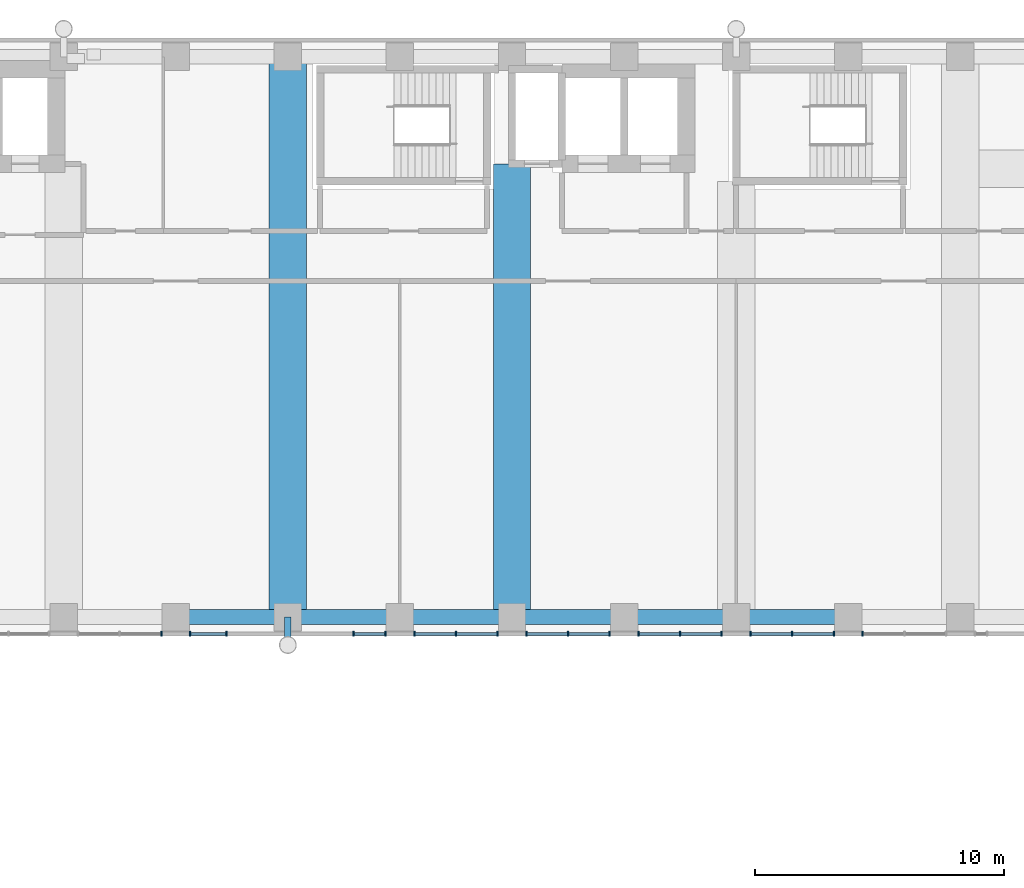
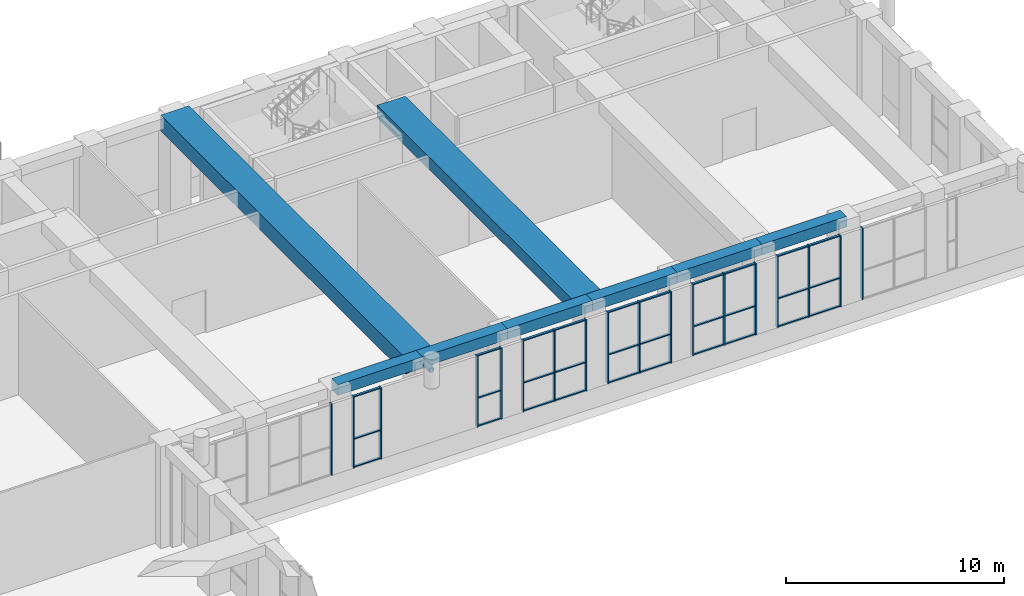
# One storey, part 6 of 22: 49 members, 8 beams, 8 elements without a shape of their own.
"""IFC4 building model written with IfcOpenShell, lengths in metres."""

from ifc_helpers import new_model, si_unit, direction, frame, origin, origin_2d, place, context, subcontext, project, spatial, rectangle, hollow_circle, extrude, material, material_profile, profile_set, type_object, element, aggregate, save


model = new_model("IFC4")

# Units and contexts
model_context = context("Model", 3, precision=1e-05, world=origin(), true_north=direction((0.0, 1.0)))
body_context = subcontext(model_context, "Body", "Model", "MODEL_VIEW")
ifc_project = project(units=[si_unit("LENGTHUNIT", "METRE"), si_unit("AREAUNIT", "SQUARE_METRE"), si_unit("VOLUMEUNIT", "CUBIC_METRE"), si_unit("PLANEANGLEUNIT", "RADIAN"), si_unit("MASSUNIT", "GRAM", prefix="KILO")], contexts=[model_context])

# Site, building, storey
site_placement = place(None, origin())
site = spatial("IfcSite", under=ifc_project, at=site_placement, CompositionType="ELEMENT")
building_placement = place(site_placement, origin())
building = spatial("IfcBuilding", under=site, at=building_placement, Name="Firuza Court", CompositionType="ELEMENT")
storey_placement = place(building_placement, frame((0.0, 0.0, 113.60009765625)))
storey = spatial("IfcBuildingStorey", under=building, at=storey_placement, Name="L28", CompositionType="ELEMENT", Elevation=113.60009765625)

# Beams
ifc_material_1 = material(Name="Concrete C40/50", Category="concrete")
ifc_material_profile_1 = material_profile(ifc_material_1, rectangle(XDim=1.5, YDim=0.699951171875, at=origin_2d()), Name="RC 1500x700")
ifc_profile_set_1 = profile_set([ifc_material_profile_1], Name="Concrete C40/50")
beam_type_1 = type_object("IfcBeamType", Name="Band beam RC 1500x700 C40/50", PredefinedType="BEAM", material=ifc_profile_set_1)
beam_1_placement = place(storey_placement, frame((45.0, 36.0, 5.349853515625), z_axis=(0.0, 1.0, 0.0), x_axis=(-1.0, 0.0, 0.0)))
element("IfcBeam", 1, at=beam_1_placement, inside=storey, type_object=beam_type_1, Name="Band beam FB1 level L29", PredefinedType="BEAM", context=body_context, shape_type="SweptSolid", body=[
    extrude(rectangle(XDim=1.5, YDim=0.699951171875, at=origin_2d()), origin(), (0.0, 0.0, 1.0), 18.199951171875),
])
ifc_material_2 = material(Name="Concrete C40/50", Category="concrete")
ifc_material_profile_2 = material_profile(ifc_material_2, rectangle(XDim=1.5, YDim=0.89990234375, at=origin_2d()), Name="RC 1500x900")
ifc_profile_set_2 = profile_set([ifc_material_profile_2], Name="Concrete C40/50")
beam_type_2 = type_object("IfcBeamType", Name="Band beam RC 1500x900 C40/50", PredefinedType="BEAM", material=ifc_profile_set_2)
beam_2_placement = place(storey_placement, frame((36.0, 36.0, 5.25), z_axis=(0.0, 1.0, 0.0), x_axis=(-1.0, 0.0, 0.0)))
element("IfcBeam", 2, at=beam_2_placement, inside=storey, type_object=beam_type_2, Name="Band beam FB2 level L29", PredefinedType="BEAM", context=body_context, shape_type="SweptSolid", body=[
    extrude(rectangle(XDim=1.5, YDim=0.89990234375, at=origin_2d()), origin(), (0.0, 0.0, 1.0), 22.5),
])

# Member
ifc_material_3 = material(Name="Steel S355", Category="steel")
ifc_material_profile_3 = material_profile(ifc_material_3, hollow_circle(Radius=0.136474609375, WallThickness=0.012451171875, at=origin_2d()), Name="CHS 273x12.5")
ifc_profile_set_3 = profile_set([ifc_material_profile_3], Name="Steel S355")
member_type_1 = type_object("IfcMemberType", Name="Diagrid tie CHS 273x12.5 S355", PredefinedType="STRUT", material=ifc_profile_set_3)
member_1_placement = place(storey_placement, frame((36.0, 36.0, 5.449951171875), z_axis=(0.0, -1.0, 0.0), x_axis=(1.0, 0.0, 0.0)))
element("IfcMember", 3, at=member_1_placement, inside=storey, type_object=member_type_1, Name="Diagrid tie level L29", PredefinedType="STRUT", context=body_context, shape_type="SweptSolid", body=[
    extrude(hollow_circle(Radius=0.136474609375, WallThickness=0.012451171875, at=origin_2d()), origin(), (0.0, 0.0, 1.0), 1.1201171875),
])

# Curtain wall, member
ifc_material_4 = material(Name="Aluminium curtain wall, triple clear glazing", Category="aluminium")
curtain_wall_type = type_object("IfcCurtainWallType", Name="Sky floor unitised curtain wall CW3", PredefinedType="NOTDEFINED", material=ifc_material_4)
curtain_wall_1_placement = place(storey_placement, origin())
curtain_wall_1 = element("IfcCurtainWall", 4, at=curtain_wall_1_placement, inside=storey, type_object=curtain_wall_type, Name="Sky floor unitised curtain wall CW3 L28", PredefinedType="NOTDEFINED")
ifc_material_5 = material(Name="Aluminium EN AW-6060 T66", Category="aluminium")
ifc_material_profile_4 = material_profile(ifc_material_5, rectangle(XDim=0.199951171875, YDim=0.06005859375, at=origin_2d()), Name="Mullion 200 x 60 CW3")
ifc_profile_set_4 = profile_set([ifc_material_profile_4], Name="Aluminium EN AW-6060 T66")
member_type_2 = type_object("IfcMemberType", Name="Mullion 200 x 60 CW3", PredefinedType="MULLION", material=ifc_profile_set_4)
member_2_placement = place(storey_placement, frame((30.919921875, 35.330078125, 1.099853515625), z_axis=(0.0, 0.0, 1.0), x_axis=(0.0, 1.0, 0.0)))
member_2 = element("IfcMember", 5, at=member_2_placement, type_object=member_type_2, Name="CW3 mullion 3", PredefinedType="MULLION", context=body_context, shape_type="SweptSolid", body=[
    extrude(rectangle(XDim=0.199951171875, YDim=0.06005859375, at=origin_2d()), origin(), (0.0, 0.0, 1.0), 4.0),
])
aggregate(curtain_wall_1, [member_2])

# Curtain wall, members
curtain_wall_2_placement = place(storey_placement, origin())
curtain_wall_2 = element("IfcCurtainWall", 6, at=curtain_wall_2_placement, inside=storey, type_object=curtain_wall_type, Name="Sky floor unitised curtain wall CW3 L28", PredefinedType="NOTDEFINED")
member_3_placement = place(storey_placement, frame((32.080078125, 35.330078125, 1.099853515625), z_axis=(0.0, 0.0, 1.0), x_axis=(0.0, 1.0, 0.0)))
member_3 = element("IfcMember", 7, at=member_3_placement, type_object=member_type_2, Name="CW3 mullion 1", PredefinedType="MULLION", context=body_context, shape_type="SweptSolid", body=[
    extrude(rectangle(XDim=0.199951171875, YDim=0.06005859375, at=origin_2d()), origin(), (0.0, 0.0, 1.0), 4.0),
])
member_4_placement = place(storey_placement, frame((33.53173828125, 35.330078125, 1.099853515625), z_axis=(0.0, 0.0, 1.0), x_axis=(0.0, 1.0, 0.0)))
member_4 = element("IfcMember", 8, at=member_4_placement, type_object=member_type_2, Name="CW3 mullion 2", PredefinedType="MULLION", context=body_context, shape_type="SweptSolid", body=[
    extrude(rectangle(XDim=0.199951171875, YDim=0.06005859375, at=origin_2d()), origin(), (0.0, 0.0, 1.0), 4.0),
])

curtain_wall_3_placement = place(storey_placement, origin())
curtain_wall_3 = element("IfcCurtainWall", 9, at=curtain_wall_3_placement, inside=storey, type_object=curtain_wall_type, Name="Sky floor unitised curtain wall CW3 L28", PredefinedType="NOTDEFINED")
member_5_placement = place(storey_placement, frame((38.642822265625, 35.330078125, 1.099853515625), z_axis=(0.0, 0.0, 1.0), x_axis=(0.0, 1.0, 0.0)))
member_5 = element("IfcMember", 10, at=member_5_placement, type_object=member_type_2, Name="CW3 mullion 1", PredefinedType="MULLION", context=body_context, shape_type="SweptSolid", body=[
    extrude(rectangle(XDim=0.199951171875, YDim=0.06005859375, at=origin_2d()), origin(), (0.0, 0.0, 1.0), 4.0),
])
member_6_placement = place(storey_placement, frame((39.919921875, 35.330078125, 1.099853515625), z_axis=(0.0, 0.0, 1.0), x_axis=(0.0, 1.0, 0.0)))
member_6 = element("IfcMember", 11, at=member_6_placement, type_object=member_type_2, Name="CW3 mullion 2", PredefinedType="MULLION", context=body_context, shape_type="SweptSolid", body=[
    extrude(rectangle(XDim=0.199951171875, YDim=0.06005859375, at=origin_2d()), origin(), (0.0, 0.0, 1.0), 4.0),
])

curtain_wall_4_placement = place(storey_placement, origin())
curtain_wall_4 = element("IfcCurtainWall", 12, at=curtain_wall_4_placement, inside=storey, type_object=curtain_wall_type, Name="Sky floor unitised curtain wall CW3 L28", PredefinedType="NOTDEFINED")
member_7_placement = place(storey_placement, frame((41.080078125, 35.330078125, 1.099853515625), z_axis=(0.0, 0.0, 1.0), x_axis=(0.0, 1.0, 0.0)))
member_7 = element("IfcMember", 13, at=member_7_placement, type_object=member_type_2, Name="CW3 mullion 1", PredefinedType="MULLION", context=body_context, shape_type="SweptSolid", body=[
    extrude(rectangle(XDim=0.199951171875, YDim=0.06005859375, at=origin_2d()), origin(), (0.0, 0.0, 1.0), 4.0),
])
member_8_placement = place(storey_placement, frame((42.75, 35.330078125, 1.099853515625), z_axis=(0.0, 0.0, 1.0), x_axis=(0.0, 1.0, 0.0)))
member_8 = element("IfcMember", 14, at=member_8_placement, type_object=member_type_2, Name="CW3 mullion 2", PredefinedType="MULLION", context=body_context, shape_type="SweptSolid", body=[
    extrude(rectangle(XDim=0.199951171875, YDim=0.06005859375, at=origin_2d()), origin(), (0.0, 0.0, 1.0), 4.0),
])
member_9_placement = place(storey_placement, frame((44.419921875, 35.330078125, 1.099853515625), z_axis=(0.0, 0.0, 1.0), x_axis=(0.0, 1.0, 0.0)))
member_9 = element("IfcMember", 15, at=member_9_placement, type_object=member_type_2, Name="CW3 mullion 3", PredefinedType="MULLION", context=body_context, shape_type="SweptSolid", body=[
    extrude(rectangle(XDim=0.199951171875, YDim=0.06005859375, at=origin_2d()), origin(), (0.0, 0.0, 1.0), 4.0),
])

curtain_wall_5_placement = place(storey_placement, origin())
curtain_wall_5 = element("IfcCurtainWall", 16, at=curtain_wall_5_placement, inside=storey, type_object=curtain_wall_type, Name="Sky floor unitised curtain wall CW3 L28", PredefinedType="NOTDEFINED")
member_10_placement = place(storey_placement, frame((45.580078125, 35.330078125, 1.099853515625), z_axis=(0.0, 0.0, 1.0), x_axis=(0.0, 1.0, 0.0)))
member_10 = element("IfcMember", 17, at=member_10_placement, type_object=member_type_2, Name="CW3 mullion 1", PredefinedType="MULLION", context=body_context, shape_type="SweptSolid", body=[
    extrude(rectangle(XDim=0.199951171875, YDim=0.06005859375, at=origin_2d()), origin(), (0.0, 0.0, 1.0), 4.0),
])
member_11_placement = place(storey_placement, frame((47.25, 35.330078125, 1.099853515625), z_axis=(0.0, 0.0, 1.0), x_axis=(0.0, 1.0, 0.0)))
member_11 = element("IfcMember", 18, at=member_11_placement, type_object=member_type_2, Name="CW3 mullion 2", PredefinedType="MULLION", context=body_context, shape_type="SweptSolid", body=[
    extrude(rectangle(XDim=0.199951171875, YDim=0.06005859375, at=origin_2d()), origin(), (0.0, 0.0, 1.0), 4.0),
])
member_12_placement = place(storey_placement, frame((48.919921875, 35.330078125, 1.099853515625), z_axis=(0.0, 0.0, 1.0), x_axis=(0.0, 1.0, 0.0)))
member_12 = element("IfcMember", 19, at=member_12_placement, type_object=member_type_2, Name="CW3 mullion 3", PredefinedType="MULLION", context=body_context, shape_type="SweptSolid", body=[
    extrude(rectangle(XDim=0.199951171875, YDim=0.06005859375, at=origin_2d()), origin(), (0.0, 0.0, 1.0), 4.0),
])

curtain_wall_6_placement = place(storey_placement, origin())
curtain_wall_6 = element("IfcCurtainWall", 20, at=curtain_wall_6_placement, inside=storey, type_object=curtain_wall_type, Name="Sky floor unitised curtain wall CW3 L28", PredefinedType="NOTDEFINED")
member_13_placement = place(storey_placement, frame((50.080078125, 35.330078125, 1.099853515625), z_axis=(0.0, 0.0, 1.0), x_axis=(0.0, 1.0, 0.0)))
member_13 = element("IfcMember", 21, at=member_13_placement, type_object=member_type_2, Name="CW3 mullion 1", PredefinedType="MULLION", context=body_context, shape_type="SweptSolid", body=[
    extrude(rectangle(XDim=0.199951171875, YDim=0.06005859375, at=origin_2d()), origin(), (0.0, 0.0, 1.0), 4.0),
])
member_14_placement = place(storey_placement, frame((51.75, 35.330078125, 1.099853515625), z_axis=(0.0, 0.0, 1.0), x_axis=(0.0, 1.0, 0.0)))
member_14 = element("IfcMember", 22, at=member_14_placement, type_object=member_type_2, Name="CW3 mullion 2", PredefinedType="MULLION", context=body_context, shape_type="SweptSolid", body=[
    extrude(rectangle(XDim=0.199951171875, YDim=0.06005859375, at=origin_2d()), origin(), (0.0, 0.0, 1.0), 4.0),
])
member_15_placement = place(storey_placement, frame((53.419921875, 35.330078125, 1.099853515625), z_axis=(0.0, 0.0, 1.0), x_axis=(0.0, 1.0, 0.0)))
member_15 = element("IfcMember", 23, at=member_15_placement, type_object=member_type_2, Name="CW3 mullion 3", PredefinedType="MULLION", context=body_context, shape_type="SweptSolid", body=[
    extrude(rectangle(XDim=0.199951171875, YDim=0.06005859375, at=origin_2d()), origin(), (0.0, 0.0, 1.0), 4.0),
])

curtain_wall_7_placement = place(storey_placement, origin())
curtain_wall_7 = element("IfcCurtainWall", 24, at=curtain_wall_7_placement, inside=storey, type_object=curtain_wall_type, Name="Sky floor unitised curtain wall CW3 L28", PredefinedType="NOTDEFINED")
member_16_placement = place(storey_placement, frame((54.580078125, 35.330078125, 1.099853515625), z_axis=(0.0, 0.0, 1.0), x_axis=(0.0, 1.0, 0.0)))
member_16 = element("IfcMember", 25, at=member_16_placement, type_object=member_type_2, Name="CW3 mullion 1", PredefinedType="MULLION", context=body_context, shape_type="SweptSolid", body=[
    extrude(rectangle(XDim=0.199951171875, YDim=0.06005859375, at=origin_2d()), origin(), (0.0, 0.0, 1.0), 4.0),
])
member_17_placement = place(storey_placement, frame((56.25, 35.330078125, 1.099853515625), z_axis=(0.0, 0.0, 1.0), x_axis=(0.0, 1.0, 0.0)))
member_17 = element("IfcMember", 26, at=member_17_placement, type_object=member_type_2, Name="CW3 mullion 2", PredefinedType="MULLION", context=body_context, shape_type="SweptSolid", body=[
    extrude(rectangle(XDim=0.199951171875, YDim=0.06005859375, at=origin_2d()), origin(), (0.0, 0.0, 1.0), 4.0),
])
member_18_placement = place(storey_placement, frame((57.919921875, 35.330078125, 1.099853515625), z_axis=(0.0, 0.0, 1.0), x_axis=(0.0, 1.0, 0.0)))
member_18 = element("IfcMember", 27, at=member_18_placement, type_object=member_type_2, Name="CW3 mullion 3", PredefinedType="MULLION", context=body_context, shape_type="SweptSolid", body=[
    extrude(rectangle(XDim=0.199951171875, YDim=0.06005859375, at=origin_2d()), origin(), (0.0, 0.0, 1.0), 4.0),
])

# Curtain wall, member
curtain_wall_8_placement = place(storey_placement, origin())
curtain_wall_8 = element("IfcCurtainWall", 28, at=curtain_wall_8_placement, inside=storey, type_object=curtain_wall_type, Name="Sky floor unitised curtain wall CW3 L28", PredefinedType="NOTDEFINED")
member_19_placement = place(storey_placement, frame((59.080078125, 35.330078125, 1.099853515625), z_axis=(0.0, 0.0, 1.0), x_axis=(0.0, 1.0, 0.0)))
member_19 = element("IfcMember", 29, at=member_19_placement, type_object=member_type_2, Name="CW3 mullion 1", PredefinedType="MULLION", context=body_context, shape_type="SweptSolid", body=[
    extrude(rectangle(XDim=0.199951171875, YDim=0.06005859375, at=origin_2d()), origin(), (0.0, 0.0, 1.0), 4.0),
])
aggregate(curtain_wall_8, [member_19])

# Beams
ifc_material_6 = material(Name="Concrete C40/50", Category="concrete")
ifc_material_profile_5 = material_profile(ifc_material_6, rectangle(XDim=0.60009765625, YDim=0.60009765625, at=origin_2d()), Name="RC 600x600")
ifc_profile_set_5 = profile_set([ifc_material_profile_5], Name="Concrete C40/50")
beam_type_3 = type_object("IfcBeamType", Name="Spandrel beam RC 600x600 C40/50", PredefinedType="BEAM", material=ifc_profile_set_5)
for number, where, z_axis, x_axis, name in (
    (30, (31.5, 36.0, 5.39990234375), (1.0, 0.0, 0.0), (0.0, 1.0, 0.0), "Spandrel beam SP11 level L29"),
    (31, (36.0, 36.0, 5.39990234375), (1.0, 0.0, 0.0), (0.0, 1.0, 0.0), "Spandrel beam SP11 level L29"),
    (32, (40.5, 36.0, 5.39990234375), (1.0, 0.0, 0.0), (0.0, 1.0, 0.0), "Spandrel beam SP11 level L29"),
    (33, (45.0, 36.0, 5.39990234375), (1.0, 0.0, 0.0), (0.0, 1.0, 0.0), "Spandrel beam SP11 level L29"),
    (34, (49.5, 36.0, 5.39990234375), (1.0, 0.0, 0.0), (0.0, 1.0, 0.0), "Spandrel beam SP11 level L29"),
    (35, (54.0, 36.0, 5.39990234375), (1.0, 0.0, 0.0), (0.0, 1.0, 0.0), "Spandrel beam SP11 level L29"),
):
    element("IfcBeam", number, at=place(storey_placement, frame(where, z_axis=z_axis, x_axis=x_axis)), inside=storey, type_object=beam_type_3, Name=name, PredefinedType="BEAM", context=body_context, shape_type="SweptSolid", body=[
        extrude(rectangle(XDim=0.60009765625, YDim=0.60009765625, at=origin_2d()), origin(), (0.0, 0.0, 1.0), 4.5),
    ])

# Member
ifc_material_7 = material(Name="Aluminium EN AW-6060 T66", Category="aluminium")
ifc_material_profile_6 = material_profile(ifc_material_7, rectangle(XDim=0.1201171875, YDim=0.06005859375, at=origin_2d()), Name="Transom 120 x 60 CW3")
ifc_profile_set_6 = profile_set([ifc_material_profile_6], Name="Aluminium EN AW-6060 T66")
member_type_3 = type_object("IfcMemberType", Name="Transom 120 x 60 CW3", PredefinedType="USERDEFINED", material=ifc_profile_set_6)
member_20_placement = place(storey_placement, frame((32.110107421875, 35.330078125, 1.1298828125), z_axis=(1.0, 0.0, 0.0), x_axis=(0.0, 1.0, 0.0)))
member_20 = element("IfcMember", 36, at=member_20_placement, type_object=member_type_3, Name="CW3 transom 1.1", ObjectType="TRANSOM", PredefinedType="USERDEFINED", context=body_context, shape_type="SweptSolid", body=[
    extrude(rectangle(XDim=0.1201171875, YDim=0.06005859375, at=origin_2d()), origin(), (0.0, 0.0, 1.0), 1.3916015625),
])

member_21_placement = place(storey_placement, frame((32.110107421875, 35.330078125, 2.699951171875), z_axis=(1.0, 0.0, 0.0), x_axis=(0.0, 1.0, 0.0)))
member_21 = element("IfcMember", 37, at=member_21_placement, type_object=member_type_3, Name="CW3 transom 1.2", ObjectType="TRANSOM", PredefinedType="USERDEFINED", context=body_context, shape_type="SweptSolid", body=[
    extrude(rectangle(XDim=0.1201171875, YDim=0.06005859375, at=origin_2d()), origin(), (0.0, 0.0, 1.0), 1.3916015625),
])

member_22_placement = place(storey_placement, frame((32.110107421875, 35.330078125, 5.06982421875), z_axis=(1.0, 0.0, 0.0), x_axis=(0.0, 1.0, 0.0)))
member_22 = element("IfcMember", 38, at=member_22_placement, type_object=member_type_3, Name="CW3 transom 1.3", ObjectType="TRANSOM", PredefinedType="USERDEFINED", context=body_context, shape_type="SweptSolid", body=[
    extrude(rectangle(XDim=0.1201171875, YDim=0.06005859375, at=origin_2d()), origin(), (0.0, 0.0, 1.0), 1.3916015625),
])

aggregate(curtain_wall_2, [member_3, member_4, member_20, member_21, member_22])

member_23_placement = place(storey_placement, frame((38.6728515625, 35.330078125, 1.1298828125), z_axis=(1.0, 0.0, 0.0), x_axis=(0.0, 1.0, 0.0)))
member_23 = element("IfcMember", 39, at=member_23_placement, type_object=member_type_3, Name="CW3 transom 1.1", ObjectType="TRANSOM", PredefinedType="USERDEFINED", context=body_context, shape_type="SweptSolid", body=[
    extrude(rectangle(XDim=0.1201171875, YDim=0.06005859375, at=origin_2d()), origin(), (0.0, 0.0, 1.0), 1.217041015625),
])

member_24_placement = place(storey_placement, frame((38.6728515625, 35.330078125, 2.699951171875), z_axis=(1.0, 0.0, 0.0), x_axis=(0.0, 1.0, 0.0)))
member_24 = element("IfcMember", 40, at=member_24_placement, type_object=member_type_3, Name="CW3 transom 1.2", ObjectType="TRANSOM", PredefinedType="USERDEFINED", context=body_context, shape_type="SweptSolid", body=[
    extrude(rectangle(XDim=0.1201171875, YDim=0.06005859375, at=origin_2d()), origin(), (0.0, 0.0, 1.0), 1.217041015625),
])

member_25_placement = place(storey_placement, frame((38.6728515625, 35.330078125, 5.06982421875), z_axis=(1.0, 0.0, 0.0), x_axis=(0.0, 1.0, 0.0)))
member_25 = element("IfcMember", 41, at=member_25_placement, type_object=member_type_3, Name="CW3 transom 1.3", ObjectType="TRANSOM", PredefinedType="USERDEFINED", context=body_context, shape_type="SweptSolid", body=[
    extrude(rectangle(XDim=0.1201171875, YDim=0.06005859375, at=origin_2d()), origin(), (0.0, 0.0, 1.0), 1.217041015625),
])

aggregate(curtain_wall_3, [member_5, member_6, member_23, member_24, member_25])

member_26_placement = place(storey_placement, frame((41.110107421875, 35.330078125, 1.1298828125), z_axis=(1.0, 0.0, 0.0), x_axis=(0.0, 1.0, 0.0)))
member_26 = element("IfcMember", 42, at=member_26_placement, type_object=member_type_3, Name="CW3 transom 1.1", ObjectType="TRANSOM", PredefinedType="USERDEFINED", context=body_context, shape_type="SweptSolid", body=[
    extrude(rectangle(XDim=0.1201171875, YDim=0.06005859375, at=origin_2d()), origin(), (0.0, 0.0, 1.0), 1.60986328125),
])

member_27_placement = place(storey_placement, frame((41.110107421875, 35.330078125, 2.699951171875), z_axis=(1.0, 0.0, 0.0), x_axis=(0.0, 1.0, 0.0)))
member_27 = element("IfcMember", 43, at=member_27_placement, type_object=member_type_3, Name="CW3 transom 1.2", ObjectType="TRANSOM", PredefinedType="USERDEFINED", context=body_context, shape_type="SweptSolid", body=[
    extrude(rectangle(XDim=0.1201171875, YDim=0.06005859375, at=origin_2d()), origin(), (0.0, 0.0, 1.0), 1.60986328125),
])

member_28_placement = place(storey_placement, frame((41.110107421875, 35.330078125, 5.06982421875), z_axis=(1.0, 0.0, 0.0), x_axis=(0.0, 1.0, 0.0)))
member_28 = element("IfcMember", 44, at=member_28_placement, type_object=member_type_3, Name="CW3 transom 1.3", ObjectType="TRANSOM", PredefinedType="USERDEFINED", context=body_context, shape_type="SweptSolid", body=[
    extrude(rectangle(XDim=0.1201171875, YDim=0.06005859375, at=origin_2d()), origin(), (0.0, 0.0, 1.0), 1.60986328125),
])

member_29_placement = place(storey_placement, frame((42.780029296875, 35.330078125, 1.1298828125), z_axis=(1.0, 0.0, 0.0), x_axis=(0.0, 1.0, 0.0)))
member_29 = element("IfcMember", 45, at=member_29_placement, type_object=member_type_3, Name="CW3 transom 2.1", ObjectType="TRANSOM", PredefinedType="USERDEFINED", context=body_context, shape_type="SweptSolid", body=[
    extrude(rectangle(XDim=0.1201171875, YDim=0.06005859375, at=origin_2d()), origin(), (0.0, 0.0, 1.0), 1.60986328125),
])

member_30_placement = place(storey_placement, frame((42.780029296875, 35.330078125, 2.699951171875), z_axis=(1.0, 0.0, 0.0), x_axis=(0.0, 1.0, 0.0)))
member_30 = element("IfcMember", 46, at=member_30_placement, type_object=member_type_3, Name="CW3 transom 2.2", ObjectType="TRANSOM", PredefinedType="USERDEFINED", context=body_context, shape_type="SweptSolid", body=[
    extrude(rectangle(XDim=0.1201171875, YDim=0.06005859375, at=origin_2d()), origin(), (0.0, 0.0, 1.0), 1.60986328125),
])

member_31_placement = place(storey_placement, frame((42.780029296875, 35.330078125, 5.06982421875), z_axis=(1.0, 0.0, 0.0), x_axis=(0.0, 1.0, 0.0)))
member_31 = element("IfcMember", 47, at=member_31_placement, type_object=member_type_3, Name="CW3 transom 2.3", ObjectType="TRANSOM", PredefinedType="USERDEFINED", context=body_context, shape_type="SweptSolid", body=[
    extrude(rectangle(XDim=0.1201171875, YDim=0.06005859375, at=origin_2d()), origin(), (0.0, 0.0, 1.0), 1.60986328125),
])

aggregate(curtain_wall_4, [member_7, member_8, member_9, member_26, member_27, member_28, member_29, member_30, member_31])

member_32_placement = place(storey_placement, frame((45.610107421875, 35.330078125, 1.1298828125), z_axis=(1.0, 0.0, 0.0), x_axis=(0.0, 1.0, 0.0)))
member_32 = element("IfcMember", 48, at=member_32_placement, type_object=member_type_3, Name="CW3 transom 1.1", ObjectType="TRANSOM", PredefinedType="USERDEFINED", context=body_context, shape_type="SweptSolid", body=[
    extrude(rectangle(XDim=0.1201171875, YDim=0.06005859375, at=origin_2d()), origin(), (0.0, 0.0, 1.0), 1.60986328125),
])

member_33_placement = place(storey_placement, frame((45.610107421875, 35.330078125, 2.699951171875), z_axis=(1.0, 0.0, 0.0), x_axis=(0.0, 1.0, 0.0)))
member_33 = element("IfcMember", 49, at=member_33_placement, type_object=member_type_3, Name="CW3 transom 1.2", ObjectType="TRANSOM", PredefinedType="USERDEFINED", context=body_context, shape_type="SweptSolid", body=[
    extrude(rectangle(XDim=0.1201171875, YDim=0.06005859375, at=origin_2d()), origin(), (0.0, 0.0, 1.0), 1.60986328125),
])

member_34_placement = place(storey_placement, frame((45.610107421875, 35.330078125, 5.06982421875), z_axis=(1.0, 0.0, 0.0), x_axis=(0.0, 1.0, 0.0)))
member_34 = element("IfcMember", 50, at=member_34_placement, type_object=member_type_3, Name="CW3 transom 1.3", ObjectType="TRANSOM", PredefinedType="USERDEFINED", context=body_context, shape_type="SweptSolid", body=[
    extrude(rectangle(XDim=0.1201171875, YDim=0.06005859375, at=origin_2d()), origin(), (0.0, 0.0, 1.0), 1.60986328125),
])

member_35_placement = place(storey_placement, frame((47.280029296875, 35.330078125, 1.1298828125), z_axis=(1.0, 0.0, 0.0), x_axis=(0.0, 1.0, 0.0)))
member_35 = element("IfcMember", 51, at=member_35_placement, type_object=member_type_3, Name="CW3 transom 2.1", ObjectType="TRANSOM", PredefinedType="USERDEFINED", context=body_context, shape_type="SweptSolid", body=[
    extrude(rectangle(XDim=0.1201171875, YDim=0.06005859375, at=origin_2d()), origin(), (0.0, 0.0, 1.0), 1.60986328125),
])

member_36_placement = place(storey_placement, frame((47.280029296875, 35.330078125, 2.699951171875), z_axis=(1.0, 0.0, 0.0), x_axis=(0.0, 1.0, 0.0)))
member_36 = element("IfcMember", 52, at=member_36_placement, type_object=member_type_3, Name="CW3 transom 2.2", ObjectType="TRANSOM", PredefinedType="USERDEFINED", context=body_context, shape_type="SweptSolid", body=[
    extrude(rectangle(XDim=0.1201171875, YDim=0.06005859375, at=origin_2d()), origin(), (0.0, 0.0, 1.0), 1.60986328125),
])

member_37_placement = place(storey_placement, frame((47.280029296875, 35.330078125, 5.06982421875), z_axis=(1.0, 0.0, 0.0), x_axis=(0.0, 1.0, 0.0)))
member_37 = element("IfcMember", 53, at=member_37_placement, type_object=member_type_3, Name="CW3 transom 2.3", ObjectType="TRANSOM", PredefinedType="USERDEFINED", context=body_context, shape_type="SweptSolid", body=[
    extrude(rectangle(XDim=0.1201171875, YDim=0.06005859375, at=origin_2d()), origin(), (0.0, 0.0, 1.0), 1.60986328125),
])

aggregate(curtain_wall_5, [member_10, member_11, member_12, member_32, member_33, member_34, member_35, member_36, member_37])

member_38_placement = place(storey_placement, frame((50.110107421875, 35.330078125, 1.1298828125), z_axis=(1.0, 0.0, 0.0), x_axis=(0.0, 1.0, 0.0)))
member_38 = element("IfcMember", 54, at=member_38_placement, type_object=member_type_3, Name="CW3 transom 1.1", ObjectType="TRANSOM", PredefinedType="USERDEFINED", context=body_context, shape_type="SweptSolid", body=[
    extrude(rectangle(XDim=0.1201171875, YDim=0.06005859375, at=origin_2d()), origin(), (0.0, 0.0, 1.0), 1.60986328125),
])

member_39_placement = place(storey_placement, frame((50.110107421875, 35.330078125, 2.699951171875), z_axis=(1.0, 0.0, 0.0), x_axis=(0.0, 1.0, 0.0)))
member_39 = element("IfcMember", 55, at=member_39_placement, type_object=member_type_3, Name="CW3 transom 1.2", ObjectType="TRANSOM", PredefinedType="USERDEFINED", context=body_context, shape_type="SweptSolid", body=[
    extrude(rectangle(XDim=0.1201171875, YDim=0.06005859375, at=origin_2d()), origin(), (0.0, 0.0, 1.0), 1.60986328125),
])

member_40_placement = place(storey_placement, frame((50.110107421875, 35.330078125, 5.06982421875), z_axis=(1.0, 0.0, 0.0), x_axis=(0.0, 1.0, 0.0)))
member_40 = element("IfcMember", 56, at=member_40_placement, type_object=member_type_3, Name="CW3 transom 1.3", ObjectType="TRANSOM", PredefinedType="USERDEFINED", context=body_context, shape_type="SweptSolid", body=[
    extrude(rectangle(XDim=0.1201171875, YDim=0.06005859375, at=origin_2d()), origin(), (0.0, 0.0, 1.0), 1.60986328125),
])

member_41_placement = place(storey_placement, frame((51.780029296875, 35.330078125, 1.1298828125), z_axis=(1.0, 0.0, 0.0), x_axis=(0.0, 1.0, 0.0)))
member_41 = element("IfcMember", 57, at=member_41_placement, type_object=member_type_3, Name="CW3 transom 2.1", ObjectType="TRANSOM", PredefinedType="USERDEFINED", context=body_context, shape_type="SweptSolid", body=[
    extrude(rectangle(XDim=0.1201171875, YDim=0.06005859375, at=origin_2d()), origin(), (0.0, 0.0, 1.0), 1.60986328125),
])

member_42_placement = place(storey_placement, frame((51.780029296875, 35.330078125, 2.699951171875), z_axis=(1.0, 0.0, 0.0), x_axis=(0.0, 1.0, 0.0)))
member_42 = element("IfcMember", 58, at=member_42_placement, type_object=member_type_3, Name="CW3 transom 2.2", ObjectType="TRANSOM", PredefinedType="USERDEFINED", context=body_context, shape_type="SweptSolid", body=[
    extrude(rectangle(XDim=0.1201171875, YDim=0.06005859375, at=origin_2d()), origin(), (0.0, 0.0, 1.0), 1.60986328125),
])

member_43_placement = place(storey_placement, frame((51.780029296875, 35.330078125, 5.06982421875), z_axis=(1.0, 0.0, 0.0), x_axis=(0.0, 1.0, 0.0)))
member_43 = element("IfcMember", 59, at=member_43_placement, type_object=member_type_3, Name="CW3 transom 2.3", ObjectType="TRANSOM", PredefinedType="USERDEFINED", context=body_context, shape_type="SweptSolid", body=[
    extrude(rectangle(XDim=0.1201171875, YDim=0.06005859375, at=origin_2d()), origin(), (0.0, 0.0, 1.0), 1.60986328125),
])

aggregate(curtain_wall_6, [member_13, member_14, member_15, member_38, member_39, member_40, member_41, member_42, member_43])

member_44_placement = place(storey_placement, frame((54.610107421875, 35.330078125, 1.1298828125), z_axis=(1.0, 0.0, 0.0), x_axis=(0.0, 1.0, 0.0)))
member_44 = element("IfcMember", 60, at=member_44_placement, type_object=member_type_3, Name="CW3 transom 1.1", ObjectType="TRANSOM", PredefinedType="USERDEFINED", context=body_context, shape_type="SweptSolid", body=[
    extrude(rectangle(XDim=0.1201171875, YDim=0.06005859375, at=origin_2d()), origin(), (0.0, 0.0, 1.0), 1.60986328125),
])

member_45_placement = place(storey_placement, frame((54.610107421875, 35.330078125, 2.699951171875), z_axis=(1.0, 0.0, 0.0), x_axis=(0.0, 1.0, 0.0)))
member_45 = element("IfcMember", 61, at=member_45_placement, type_object=member_type_3, Name="CW3 transom 1.2", ObjectType="TRANSOM", PredefinedType="USERDEFINED", context=body_context, shape_type="SweptSolid", body=[
    extrude(rectangle(XDim=0.1201171875, YDim=0.06005859375, at=origin_2d()), origin(), (0.0, 0.0, 1.0), 1.60986328125),
])

member_46_placement = place(storey_placement, frame((54.610107421875, 35.330078125, 5.06982421875), z_axis=(1.0, 0.0, 0.0), x_axis=(0.0, 1.0, 0.0)))
member_46 = element("IfcMember", 62, at=member_46_placement, type_object=member_type_3, Name="CW3 transom 1.3", ObjectType="TRANSOM", PredefinedType="USERDEFINED", context=body_context, shape_type="SweptSolid", body=[
    extrude(rectangle(XDim=0.1201171875, YDim=0.06005859375, at=origin_2d()), origin(), (0.0, 0.0, 1.0), 1.60986328125),
])

member_47_placement = place(storey_placement, frame((56.280029296875, 35.330078125, 1.1298828125), z_axis=(1.0, 0.0, 0.0), x_axis=(0.0, 1.0, 0.0)))
member_47 = element("IfcMember", 63, at=member_47_placement, type_object=member_type_3, Name="CW3 transom 2.1", ObjectType="TRANSOM", PredefinedType="USERDEFINED", context=body_context, shape_type="SweptSolid", body=[
    extrude(rectangle(XDim=0.1201171875, YDim=0.06005859375, at=origin_2d()), origin(), (0.0, 0.0, 1.0), 1.60986328125),
])

member_48_placement = place(storey_placement, frame((56.280029296875, 35.330078125, 2.699951171875), z_axis=(1.0, 0.0, 0.0), x_axis=(0.0, 1.0, 0.0)))
member_48 = element("IfcMember", 64, at=member_48_placement, type_object=member_type_3, Name="CW3 transom 2.2", ObjectType="TRANSOM", PredefinedType="USERDEFINED", context=body_context, shape_type="SweptSolid", body=[
    extrude(rectangle(XDim=0.1201171875, YDim=0.06005859375, at=origin_2d()), origin(), (0.0, 0.0, 1.0), 1.60986328125),
])

member_49_placement = place(storey_placement, frame((56.280029296875, 35.330078125, 5.06982421875), z_axis=(1.0, 0.0, 0.0), x_axis=(0.0, 1.0, 0.0)))
member_49 = element("IfcMember", 65, at=member_49_placement, type_object=member_type_3, Name="CW3 transom 2.3", ObjectType="TRANSOM", PredefinedType="USERDEFINED", context=body_context, shape_type="SweptSolid", body=[
    extrude(rectangle(XDim=0.1201171875, YDim=0.06005859375, at=origin_2d()), origin(), (0.0, 0.0, 1.0), 1.60986328125),
])

aggregate(curtain_wall_7, [member_16, member_17, member_18, member_44, member_45, member_46, member_47, member_48, member_49])

save(model, "model.ifc")
